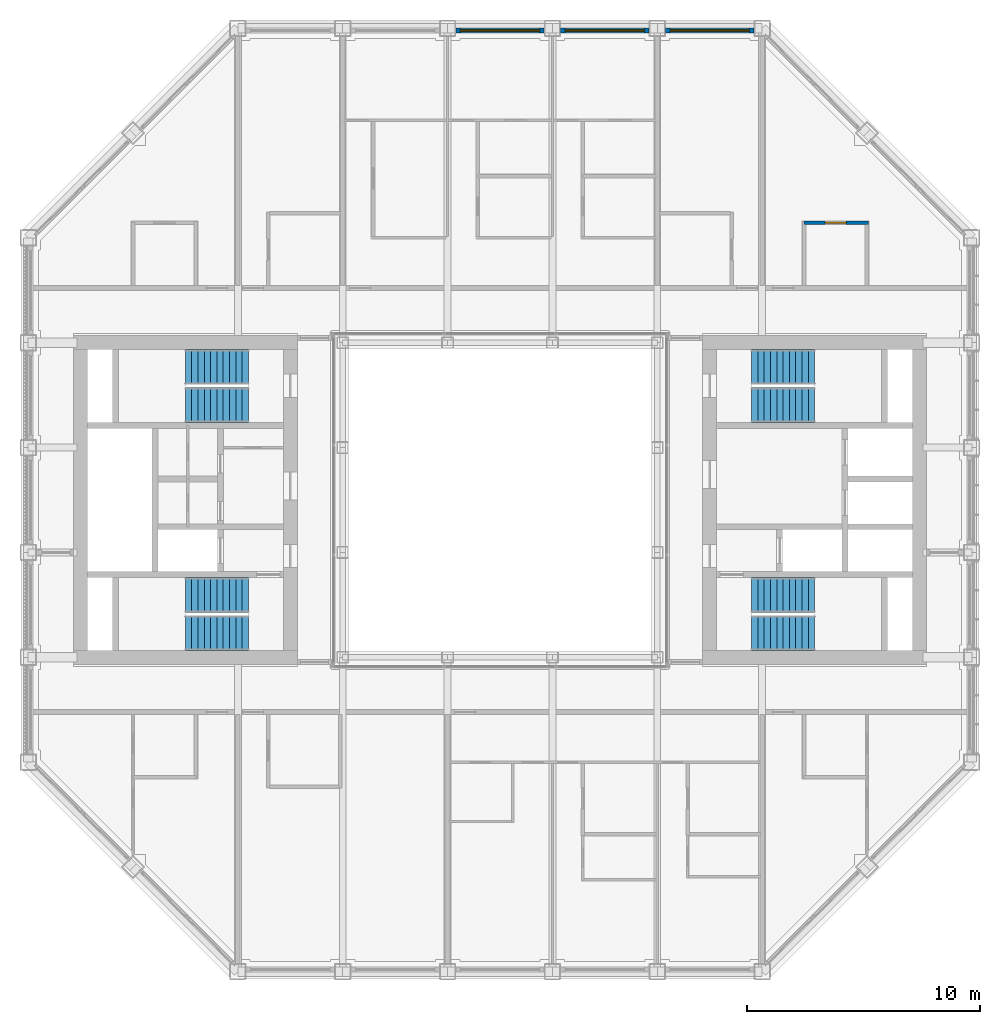
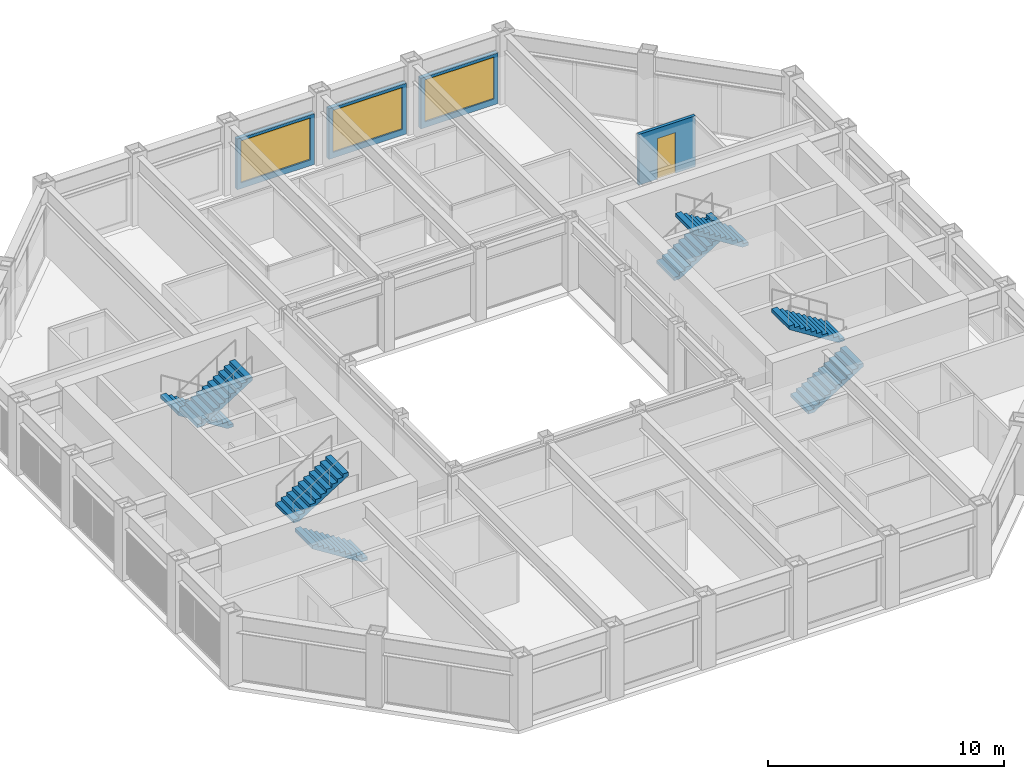
# One storey, part 13 of 17: 8 stair flights, 4 walls, 3 windows, 1 door, 4 openings, 4 elements without a shape of their own.
"""IFC4 building model written with IfcOpenShell, lengths in metres."""

from ifc_helpers import new_model, si_unit, direction, frame, frame_2d, origin, place, context, subcontext, project, spatial, polyline, rectangle, outline, extrude, material, layer, layer_set, type_object, element, fill, aggregate, save


model = new_model("IFC4")

# Units and contexts
model_context = context("Model", 3, precision=1e-05, world=origin(), true_north=direction((0.0, 1.0)))
body_context = subcontext(model_context, "Body", "Model", "MODEL_VIEW")
ifc_project = project(units=[si_unit("LENGTHUNIT", "METRE"), si_unit("AREAUNIT", "SQUARE_METRE"), si_unit("VOLUMEUNIT", "CUBIC_METRE"), si_unit("PLANEANGLEUNIT", "RADIAN"), si_unit("MASSUNIT", "GRAM", prefix="KILO")], contexts=[model_context])

# Site, building, storey
site_placement = place(None, origin())
site = spatial("IfcSite", under=ifc_project, at=site_placement, CompositionType="ELEMENT")
building_placement = place(site_placement, origin())
building = spatial("IfcBuilding", under=site, at=building_placement, Name="Msasa Ring Tower", CompositionType="ELEMENT")
storey_placement = place(building_placement, frame((0.0, 0.0, 238.300048828125)))
storey = spatial("IfcBuildingStorey", under=building, at=storey_placement, Name="L62", CompositionType="ELEMENT", Elevation=238.300048828125)

# Wall, opening, window
ifc_material_1 = material(Name="Terracotta rainscreen on blockwork", Category="masonry")
ifc_layer_1 = layer(ifc_material_1, 0.199951171875)
ifc_layer_set_1 = layer_set([ifc_layer_1], Name="FW1 TERRACOTTA-LINED INFILL BAY WALL 200")
wall_type_1 = type_object("IfcWallType", Name="FW1 TERRACOTTA-LINED INFILL BAY WALL 200", PredefinedType="SOLIDWALL", material=ifc_layer_set_1)
wall_1_placement = place(storey_placement, frame((-1.89501953125, 20.14990234375, 0.0), z_axis=(0.0, 0.0, 1.0), x_axis=(1.0, 0.0, 0.0)))
wall_1 = element("IfcWall", 1, at=wall_1_placement, inside=storey, type_object=wall_type_1, Name="Infill bay wall N L62 16", PredefinedType="SOLIDWALL", context=body_context, shape_type="SweptSolid", body=[
    extrude(rectangle(XDim=3.7900390625, YDim=0.199951171875, at=frame_2d((1.89501953125, 0.0))), origin(), (0.0, 0.0, 1.0), 2.62890625),
])
opening_1_placement = place(wall_1_placement, frame((0.195068359375, 0.0, 0.300048828125)))
opening_1 = element("IfcOpeningElement", 2, at=opening_1_placement, cuts=wall_1, Name="Opening WN3", PredefinedType="OPENING", context=body_context, shape_type="SweptSolid", body=[
    extrude(rectangle(XDim=3.39990234375, YDim=2.178955078125, at=frame_2d((1.699951171875, 1.08935546875))), frame((0.0, 0.10986328125, 0.0), z_axis=(0.0, -1.0, 0.0), x_axis=(1.0, 0.0, 0.0)), (0.0, 0.0, 1.0), 0.219970703125),
])
ifc_material_2 = material(Name="Aluminium frame with clear glass", Category="aluminium")
window_type = type_object("IfcWindowType", Name="WN3 SUITE WINDOW 3400x2179", PartitioningType="SINGLE_PANEL", PredefinedType="WINDOW", material=ifc_material_2)
window_1_placement = place(opening_1_placement, origin())
window_1 = element("IfcWindow", 3, at=window_1_placement, inside=storey, type_object=window_type, Name="Window N L62 16", OverallHeight=2.178955078125, OverallWidth=3.39990234375, PartitioningType="SINGLE_PANEL", PredefinedType="WINDOW", context=body_context, shape_type="SweptSolid", body=[
    extrude(rectangle(XDim=3.39990234375, YDim=2.178955078125, at=frame_2d((1.699951171875, 1.08935546875))), frame((0.0, 0.030029296875, 0.0), z_axis=(0.0, -1.0, 0.0), x_axis=(1.0, 0.0, 0.0)), (0.0, 0.0, 1.0), 0.06005859375),
])
fill(opening_1, window_1)

wall_2_placement = place(storey_placement, frame((2.60498046875, 20.14990234375, 0.0), z_axis=(0.0, 0.0, 1.0), x_axis=(1.0, 0.0, 0.0)))
wall_2 = element("IfcWall", 4, at=wall_2_placement, inside=storey, type_object=wall_type_1, Name="Infill bay wall N L62 17", PredefinedType="SOLIDWALL", context=body_context, shape_type="SweptSolid", body=[
    extrude(rectangle(XDim=3.7900390625, YDim=0.199951171875, at=frame_2d((1.89501953125, 0.0))), origin(), (0.0, 0.0, 1.0), 2.62890625),
])
opening_2_placement = place(wall_2_placement, frame((0.195068359375, 0.0, 0.300048828125)))
opening_2 = element("IfcOpeningElement", 5, at=opening_2_placement, cuts=wall_2, Name="Opening WN3", PredefinedType="OPENING", context=body_context, shape_type="SweptSolid", body=[
    extrude(rectangle(XDim=3.39990234375, YDim=2.178955078125, at=frame_2d((1.699951171875, 1.08935546875))), frame((0.0, 0.10986328125, 0.0), z_axis=(0.0, -1.0, 0.0), x_axis=(1.0, 0.0, 0.0)), (0.0, 0.0, 1.0), 0.219970703125),
])
window_2_placement = place(opening_2_placement, origin())
window_2 = element("IfcWindow", 6, at=window_2_placement, inside=storey, type_object=window_type, Name="Window N L62 17", OverallHeight=2.178955078125, OverallWidth=3.39990234375, PartitioningType="SINGLE_PANEL", PredefinedType="WINDOW", context=body_context, shape_type="SweptSolid", body=[
    extrude(rectangle(XDim=3.39990234375, YDim=2.178955078125, at=frame_2d((1.699951171875, 1.08935546875))), frame((0.0, 0.030029296875, 0.0), z_axis=(0.0, -1.0, 0.0), x_axis=(1.0, 0.0, 0.0)), (0.0, 0.0, 1.0), 0.06005859375),
])
fill(opening_2, window_2)

wall_3_placement = place(storey_placement, frame((7.10498046875, 20.14990234375, 0.0), z_axis=(0.0, 0.0, 1.0), x_axis=(1.0, 0.0, 0.0)))
wall_3 = element("IfcWall", 7, at=wall_3_placement, inside=storey, type_object=wall_type_1, Name="Infill bay wall N L62 18", PredefinedType="SOLIDWALL", context=body_context, shape_type="SweptSolid", body=[
    extrude(rectangle(XDim=3.7900390625, YDim=0.199951171875, at=frame_2d((1.89501953125, 0.0))), origin(), (0.0, 0.0, 1.0), 2.62890625),
])
opening_3_placement = place(wall_3_placement, frame((0.195068359375, 0.0, 0.300048828125)))
opening_3 = element("IfcOpeningElement", 8, at=opening_3_placement, cuts=wall_3, Name="Opening WN3", PredefinedType="OPENING", context=body_context, shape_type="SweptSolid", body=[
    extrude(rectangle(XDim=3.39990234375, YDim=2.178955078125, at=frame_2d((1.699951171875, 1.08935546875))), frame((0.0, 0.10986328125, 0.0), z_axis=(0.0, -1.0, 0.0), x_axis=(1.0, 0.0, 0.0)), (0.0, 0.0, 1.0), 0.219970703125),
])
window_3_placement = place(opening_3_placement, origin())
window_3 = element("IfcWindow", 9, at=window_3_placement, inside=storey, type_object=window_type, Name="Window N L62 18", OverallHeight=2.178955078125, OverallWidth=3.39990234375, PartitioningType="SINGLE_PANEL", PredefinedType="WINDOW", context=body_context, shape_type="SweptSolid", body=[
    extrude(rectangle(XDim=3.39990234375, YDim=2.178955078125, at=frame_2d((1.699951171875, 1.08935546875))), frame((0.0, 0.030029296875, 0.0), z_axis=(0.0, -1.0, 0.0), x_axis=(1.0, 0.0, 0.0)), (0.0, 0.0, 1.0), 0.06005859375),
])
fill(opening_3, window_3)

# Wall, opening, door
ifc_material_3 = material(Name="Moisture-resistant board on steel studs with a concealed cistern and pipe void, tiled", Category="steel")
ifc_layer_2 = layer(ifc_material_3, 0.14990234375)
ifc_layer_set_2 = layer_set([ifc_layer_2], Name="PT4 BATHROOM WET WALL 150")
wall_type_2 = type_object("IfcWallType", Name="PT4 BATHROOM WET WALL 150", PredefinedType="PARTITIONING", material=ifc_layer_set_2)
wall_4_placement = place(storey_placement, frame((13.050048828125, 11.89990234375, 0.0), z_axis=(0.0, 0.0, 1.0), x_axis=(1.0, 0.0, 0.0)))
wall_4 = element("IfcWall", 10, at=wall_4_placement, inside=storey, type_object=wall_type_2, Name="Partition L62-CSNEBY", PredefinedType="PARTITIONING", context=body_context, shape_type="SweptSolid", body=[
    extrude(rectangle(XDim=2.77490234375, YDim=0.14990234375, at=frame_2d((1.387451171875, 0.0))), origin(), (0.0, 0.0, 1.0), 2.62890625),
])
opening_4_placement = place(wall_4_placement, frame((0.89990234375, 0.0, 0.0)))
opening_4 = element("IfcOpeningElement", 11, at=opening_4_placement, cuts=wall_4, Name="Opening SD-010", PredefinedType="OPENING", context=body_context, shape_type="SweptSolid", body=[
    extrude(rectangle(XDim=0.89990234375, YDim=2.10009765625, at=frame_2d((0.449951171875, 1.050048828125))), frame((0.0, 0.0849609375, 0.0), z_axis=(0.0, -1.0, 0.0), x_axis=(1.0, 0.0, 0.0)), (0.0, 0.0, 1.0), 0.169921875),
])
ifc_material_4 = material(Name="Timber door leaf in a steel frame", Category="steel")
door_type = type_object("IfcDoorType", Name="D3 BATHROOM DOOR 900x2100", OperationType="SINGLE_SWING_LEFT", PredefinedType="DOOR", material=ifc_material_4)
door_placement = place(opening_4_placement, origin())
door = element("IfcDoor", 12, at=door_placement, inside=storey, type_object=door_type, Name="Door L62-CSNEB1", OperationType="SINGLE_SWING_LEFT", OverallHeight=2.10009765625, OverallWidth=0.89990234375, PredefinedType="DOOR", context=body_context, shape_type="SweptSolid", body=[
    extrude(rectangle(XDim=0.89990234375, YDim=2.10009765625, at=frame_2d((0.449951171875, 1.050048828125))), frame((0.0, 0.02490234375, 0.0), z_axis=(0.0, -1.0, 0.0), x_axis=(1.0, 0.0, 0.0)), (0.0, 0.0, 1.0), 0.050048828125),
])
fill(opening_4, door)

# Stair, stair flights
ifc_material_5 = material(Name="Concrete C40/50", Category="concrete")
stair_type = type_object("IfcStairType", Name="STC CORE STAIR 22 RISERS 170.5", PredefinedType="HALF_TURN_STAIR", material=ifc_material_5)
stair_1_placement = place(storey_placement, origin())
stair_1 = element("IfcStair", 13, at=stair_1_placement, inside=storey, type_object=stair_type, Name="Core stair SEA L62", PredefinedType="HALF_TURN_STAIR")
ifc_material_6 = material(Name="Concrete C40/50", Category="concrete")
stair_flight_type = type_object("IfcStairFlightType", Name="ST11 CORE STAIR FLIGHT 1500 11 RISERS 170.5", PredefinedType="STRAIGHT", material=ifc_material_6)
stair_flight_1_placement = place(storey_placement, frame((10.800048828125, -5.699951171875, 0.0), z_axis=(0.0, 0.0, 1.0), x_axis=(1.0, 0.0, 0.0)))
stair_flight_1 = element("IfcStairFlight", 14, at=stair_flight_1_placement, type_object=stair_flight_type, Name="SEA flight 1", NumberOfRisers=11, NumberOfTreads=10, PredefinedType="STRAIGHT", RiserHeight=0.170454545, TreadLength=0.27, context=body_context, shape_type="SweptSolid", body=[
    extrude(outline(polyline([(0.0, 0.0), (0.0, 0.17041015625), (0.27001953125, 0.17041015625), (0.27001953125, 0.3408203125), (0.5400390625, 0.3408203125), (0.5400390625, 0.511474609375), (0.81005859375, 0.511474609375), (0.81005859375, 0.681884765625), (1.080078125, 0.681884765625), (1.080078125, 0.852294921875), (1.35009765625, 0.852294921875), (1.35009765625, 1.022705078125), (1.6201171875, 1.022705078125), (1.6201171875, 1.193115234375), (1.889892578125, 1.193115234375), (1.889892578125, 1.363525390625), (2.159912109375, 1.363525390625), (2.159912109375, 1.5341796875), (2.429931640625, 1.5341796875), (2.429931640625, 1.70458984375), (2.699951171875, 1.70458984375), (2.699951171875, 1.875), (2.699951171875, 1.52734375), (0.28076171875, 0.0), (0.0, 0.0)])), frame((0.0, 0.75, 0.0), z_axis=(0.0, -1.0, 0.0), x_axis=(1.0, 0.0, 0.0)), (0.0, 0.0, 1.0), 1.5),
])
stair_flight_2_placement = place(storey_placement, frame((13.5, -4.074951171875, 1.875), z_axis=(0.0, 0.0, 1.0), x_axis=(-1.0, 0.0, 0.0)))
stair_flight_2 = element("IfcStairFlight", 15, at=stair_flight_2_placement, type_object=stair_flight_type, Name="SEA flight 2", NumberOfRisers=11, NumberOfTreads=10, PredefinedType="STRAIGHT", RiserHeight=0.170454545, TreadLength=0.27, context=body_context, shape_type="SweptSolid", body=[
    extrude(outline(polyline([(0.0, 0.0), (0.0, 0.17041015625), (0.27001953125, 0.17041015625), (0.27001953125, 0.3408203125), (0.5400390625, 0.3408203125), (0.5400390625, 0.511474609375), (0.81005859375, 0.511474609375), (0.81005859375, 0.681884765625), (1.080078125, 0.681884765625), (1.080078125, 0.852294921875), (1.35009765625, 0.852294921875), (1.35009765625, 1.022705078125), (1.6201171875, 1.022705078125), (1.6201171875, 1.193115234375), (1.889892578125, 1.193115234375), (1.889892578125, 1.363525390625), (2.159912109375, 1.363525390625), (2.159912109375, 1.5341796875), (2.429931640625, 1.5341796875), (2.429931640625, 1.70458984375), (2.699951171875, 1.70458984375), (2.699951171875, 1.875), (2.699951171875, 1.52734375), (0.28076171875, 0.0), (0.0, 0.0)])), frame((0.0, 0.75, 0.0), z_axis=(0.0, -1.0, 0.0), x_axis=(1.0, 0.0, 0.0)), (0.0, 0.0, 1.0), 1.5),
])
aggregate(stair_1, [stair_flight_1, stair_flight_2])

stair_2_placement = place(storey_placement, origin())
stair_2 = element("IfcStair", 16, at=stair_2_placement, inside=storey, type_object=stair_type, Name="Core stair SEB L62", PredefinedType="HALF_TURN_STAIR")
stair_flight_3_placement = place(storey_placement, frame((10.800048828125, 5.699951171875, 0.0), z_axis=(0.0, 0.0, 1.0), x_axis=(1.0, 0.0, 0.0)))
stair_flight_3 = element("IfcStairFlight", 17, at=stair_flight_3_placement, type_object=stair_flight_type, Name="SEB flight 1", NumberOfRisers=11, NumberOfTreads=10, PredefinedType="STRAIGHT", RiserHeight=0.170454545, TreadLength=0.27, context=body_context, shape_type="SweptSolid", body=[
    extrude(outline(polyline([(0.0, 0.0), (0.0, 0.17041015625), (0.27001953125, 0.17041015625), (0.27001953125, 0.3408203125), (0.5400390625, 0.3408203125), (0.5400390625, 0.511474609375), (0.81005859375, 0.511474609375), (0.81005859375, 0.681884765625), (1.080078125, 0.681884765625), (1.080078125, 0.852294921875), (1.35009765625, 0.852294921875), (1.35009765625, 1.022705078125), (1.6201171875, 1.022705078125), (1.6201171875, 1.193115234375), (1.889892578125, 1.193115234375), (1.889892578125, 1.363525390625), (2.159912109375, 1.363525390625), (2.159912109375, 1.5341796875), (2.429931640625, 1.5341796875), (2.429931640625, 1.70458984375), (2.699951171875, 1.70458984375), (2.699951171875, 1.875), (2.699951171875, 1.52734375), (0.28076171875, 0.0), (0.0, 0.0)])), frame((0.0, 0.75, 0.0), z_axis=(0.0, -1.0, 0.0), x_axis=(1.0, 0.0, 0.0)), (0.0, 0.0, 1.0), 1.5),
])
stair_flight_4_placement = place(storey_placement, frame((13.5, 4.074951171875, 1.875), z_axis=(0.0, 0.0, 1.0), x_axis=(-1.0, 0.0, 0.0)))
stair_flight_4 = element("IfcStairFlight", 18, at=stair_flight_4_placement, type_object=stair_flight_type, Name="SEB flight 2", NumberOfRisers=11, NumberOfTreads=10, PredefinedType="STRAIGHT", RiserHeight=0.170454545, TreadLength=0.27, context=body_context, shape_type="SweptSolid", body=[
    extrude(outline(polyline([(0.0, 0.0), (0.0, 0.17041015625), (0.27001953125, 0.17041015625), (0.27001953125, 0.3408203125), (0.5400390625, 0.3408203125), (0.5400390625, 0.511474609375), (0.81005859375, 0.511474609375), (0.81005859375, 0.681884765625), (1.080078125, 0.681884765625), (1.080078125, 0.852294921875), (1.35009765625, 0.852294921875), (1.35009765625, 1.022705078125), (1.6201171875, 1.022705078125), (1.6201171875, 1.193115234375), (1.889892578125, 1.193115234375), (1.889892578125, 1.363525390625), (2.159912109375, 1.363525390625), (2.159912109375, 1.5341796875), (2.429931640625, 1.5341796875), (2.429931640625, 1.70458984375), (2.699951171875, 1.70458984375), (2.699951171875, 1.875), (2.699951171875, 1.52734375), (0.28076171875, 0.0), (0.0, 0.0)])), frame((0.0, 0.75, 0.0), z_axis=(0.0, -1.0, 0.0), x_axis=(1.0, 0.0, 0.0)), (0.0, 0.0, 1.0), 1.5),
])
aggregate(stair_2, [stair_flight_3, stair_flight_4])

stair_3_placement = place(storey_placement, origin())
stair_3 = element("IfcStair", 19, at=stair_3_placement, inside=storey, type_object=stair_type, Name="Core stair SWA L62", PredefinedType="HALF_TURN_STAIR")
stair_flight_5_placement = place(storey_placement, frame((-10.800048828125, -5.699951171875, 0.0), z_axis=(0.0, 0.0, 1.0), x_axis=(-1.0, 0.0, 0.0)))
stair_flight_5 = element("IfcStairFlight", 20, at=stair_flight_5_placement, type_object=stair_flight_type, Name="SWA flight 1", NumberOfRisers=11, NumberOfTreads=10, PredefinedType="STRAIGHT", RiserHeight=0.170454545, TreadLength=0.27, context=body_context, shape_type="SweptSolid", body=[
    extrude(outline(polyline([(0.0, 0.0), (0.0, 0.17041015625), (0.27001953125, 0.17041015625), (0.27001953125, 0.3408203125), (0.5400390625, 0.3408203125), (0.5400390625, 0.511474609375), (0.81005859375, 0.511474609375), (0.81005859375, 0.681884765625), (1.080078125, 0.681884765625), (1.080078125, 0.852294921875), (1.35009765625, 0.852294921875), (1.35009765625, 1.022705078125), (1.6201171875, 1.022705078125), (1.6201171875, 1.193115234375), (1.889892578125, 1.193115234375), (1.889892578125, 1.363525390625), (2.159912109375, 1.363525390625), (2.159912109375, 1.5341796875), (2.429931640625, 1.5341796875), (2.429931640625, 1.70458984375), (2.699951171875, 1.70458984375), (2.699951171875, 1.875), (2.699951171875, 1.52734375), (0.28076171875, 0.0), (0.0, 0.0)])), frame((0.0, 0.75, 0.0), z_axis=(0.0, -1.0, 0.0), x_axis=(1.0, 0.0, 0.0)), (0.0, 0.0, 1.0), 1.5),
])
stair_flight_6_placement = place(storey_placement, frame((-13.5, -4.074951171875, 1.875), z_axis=(0.0, 0.0, 1.0), x_axis=(1.0, 0.0, 0.0)))
stair_flight_6 = element("IfcStairFlight", 21, at=stair_flight_6_placement, type_object=stair_flight_type, Name="SWA flight 2", NumberOfRisers=11, NumberOfTreads=10, PredefinedType="STRAIGHT", RiserHeight=0.170454545, TreadLength=0.27, context=body_context, shape_type="SweptSolid", body=[
    extrude(outline(polyline([(0.0, 0.0), (0.0, 0.17041015625), (0.27001953125, 0.17041015625), (0.27001953125, 0.3408203125), (0.5400390625, 0.3408203125), (0.5400390625, 0.511474609375), (0.81005859375, 0.511474609375), (0.81005859375, 0.681884765625), (1.080078125, 0.681884765625), (1.080078125, 0.852294921875), (1.35009765625, 0.852294921875), (1.35009765625, 1.022705078125), (1.6201171875, 1.022705078125), (1.6201171875, 1.193115234375), (1.889892578125, 1.193115234375), (1.889892578125, 1.363525390625), (2.159912109375, 1.363525390625), (2.159912109375, 1.5341796875), (2.429931640625, 1.5341796875), (2.429931640625, 1.70458984375), (2.699951171875, 1.70458984375), (2.699951171875, 1.875), (2.699951171875, 1.52734375), (0.28076171875, 0.0), (0.0, 0.0)])), frame((0.0, 0.75, 0.0), z_axis=(0.0, -1.0, 0.0), x_axis=(1.0, 0.0, 0.0)), (0.0, 0.0, 1.0), 1.5),
])
aggregate(stair_3, [stair_flight_5, stair_flight_6])

stair_4_placement = place(storey_placement, origin())
stair_4 = element("IfcStair", 22, at=stair_4_placement, inside=storey, type_object=stair_type, Name="Core stair SWB L62", PredefinedType="HALF_TURN_STAIR")
stair_flight_7_placement = place(storey_placement, frame((-10.800048828125, 5.699951171875, 0.0), z_axis=(0.0, 0.0, 1.0), x_axis=(-1.0, 0.0, 0.0)))
stair_flight_7 = element("IfcStairFlight", 23, at=stair_flight_7_placement, type_object=stair_flight_type, Name="SWB flight 1", NumberOfRisers=11, NumberOfTreads=10, PredefinedType="STRAIGHT", RiserHeight=0.170454545, TreadLength=0.27, context=body_context, shape_type="SweptSolid", body=[
    extrude(outline(polyline([(0.0, 0.0), (0.0, 0.17041015625), (0.27001953125, 0.17041015625), (0.27001953125, 0.3408203125), (0.5400390625, 0.3408203125), (0.5400390625, 0.511474609375), (0.81005859375, 0.511474609375), (0.81005859375, 0.681884765625), (1.080078125, 0.681884765625), (1.080078125, 0.852294921875), (1.35009765625, 0.852294921875), (1.35009765625, 1.022705078125), (1.6201171875, 1.022705078125), (1.6201171875, 1.193115234375), (1.889892578125, 1.193115234375), (1.889892578125, 1.363525390625), (2.159912109375, 1.363525390625), (2.159912109375, 1.5341796875), (2.429931640625, 1.5341796875), (2.429931640625, 1.70458984375), (2.699951171875, 1.70458984375), (2.699951171875, 1.875), (2.699951171875, 1.52734375), (0.28076171875, 0.0), (0.0, 0.0)])), frame((0.0, 0.75, 0.0), z_axis=(0.0, -1.0, 0.0), x_axis=(1.0, 0.0, 0.0)), (0.0, 0.0, 1.0), 1.5),
])
stair_flight_8_placement = place(storey_placement, frame((-13.5, 4.074951171875, 1.875), z_axis=(0.0, 0.0, 1.0), x_axis=(1.0, 0.0, 0.0)))
stair_flight_8 = element("IfcStairFlight", 24, at=stair_flight_8_placement, type_object=stair_flight_type, Name="SWB flight 2", NumberOfRisers=11, NumberOfTreads=10, PredefinedType="STRAIGHT", RiserHeight=0.170454545, TreadLength=0.27, context=body_context, shape_type="SweptSolid", body=[
    extrude(outline(polyline([(0.0, 0.0), (0.0, 0.17041015625), (0.27001953125, 0.17041015625), (0.27001953125, 0.3408203125), (0.5400390625, 0.3408203125), (0.5400390625, 0.511474609375), (0.81005859375, 0.511474609375), (0.81005859375, 0.681884765625), (1.080078125, 0.681884765625), (1.080078125, 0.852294921875), (1.35009765625, 0.852294921875), (1.35009765625, 1.022705078125), (1.6201171875, 1.022705078125), (1.6201171875, 1.193115234375), (1.889892578125, 1.193115234375), (1.889892578125, 1.363525390625), (2.159912109375, 1.363525390625), (2.159912109375, 1.5341796875), (2.429931640625, 1.5341796875), (2.429931640625, 1.70458984375), (2.699951171875, 1.70458984375), (2.699951171875, 1.875), (2.699951171875, 1.52734375), (0.28076171875, 0.0), (0.0, 0.0)])), frame((0.0, 0.75, 0.0), z_axis=(0.0, -1.0, 0.0), x_axis=(1.0, 0.0, 0.0)), (0.0, 0.0, 1.0), 1.5),
])
aggregate(stair_4, [stair_flight_7, stair_flight_8])

save(model, "model.ifc")
